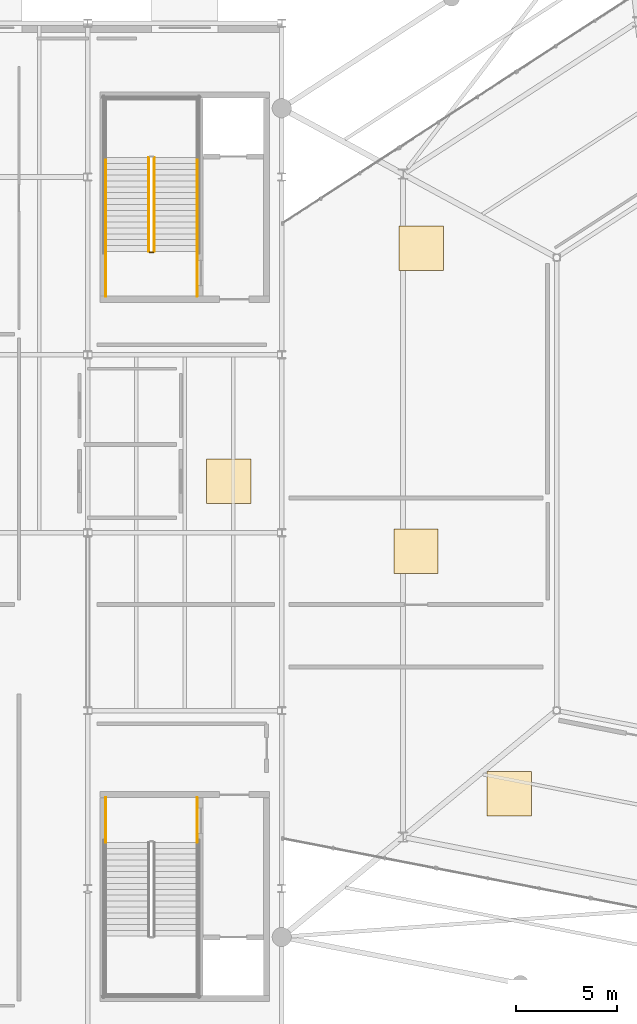
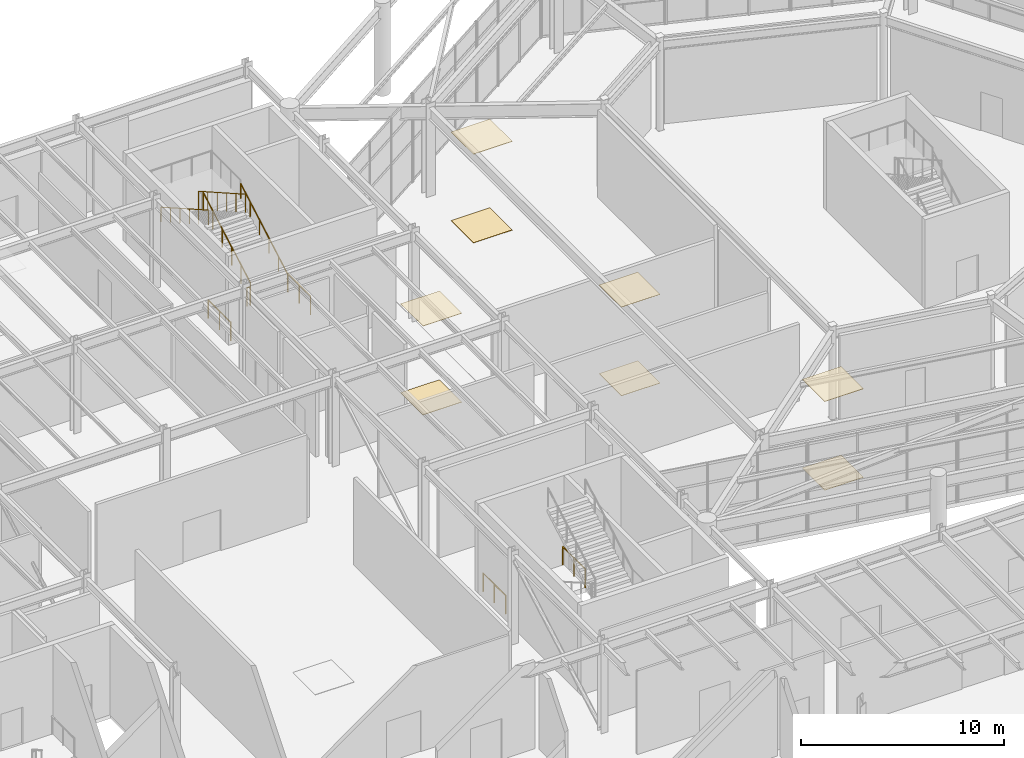
# One storey, part 66 of 70: 9 railings, 8 coverings.
"""IFC4 building model written with IfcOpenShell, lengths in metres."""

from ifc_helpers import new_model, si_unit, direction, frame, origin, origin_2d, place, context, subcontext, project, spatial, rectangle, circle, extrude, material, layer, layer_set, type_object, element, save


model = new_model("IFC4")

# Units and contexts
model_context = context("Model", 3, precision=1e-05, world=origin(), true_north=direction((0.0, 1.0)))
body_context = subcontext(model_context, "Body", "Model", "MODEL_VIEW")
ifc_project = project(units=[si_unit("LENGTHUNIT", "METRE"), si_unit("AREAUNIT", "SQUARE_METRE"), si_unit("VOLUMEUNIT", "CUBIC_METRE"), si_unit("PLANEANGLEUNIT", "RADIAN"), si_unit("MASSUNIT", "GRAM", prefix="KILO")], contexts=[model_context])

# Site, building, storey
site_placement = place(None, origin())
site = spatial("IfcSite", under=ifc_project, at=site_placement, CompositionType="ELEMENT")
building_placement = place(site_placement, origin())
building = spatial("IfcBuilding", under=site, at=building_placement, Name="Sarnbrook Museum", CompositionType="ELEMENT")
storey_placement = place(building_placement, origin())
storey = spatial("IfcBuildingStorey", under=building, at=storey_placement, Name="L00", CompositionType="ELEMENT", Elevation=0.0)

# Coverings
ifc_material_1 = material(Name="Fire-Rated Acoustic Gypsum Plasterboard")
ifc_layer_1 = layer(ifc_material_1, 0.01806640625)
ifc_layer_set_1 = layer_set([ifc_layer_1], Name="Fire-Rated Acoustic Gypsum Plasterboard")
covering_type_1 = type_object("IfcCoveringType", Name="Ceil_Acoustic18", PredefinedType="CEILING", material=ifc_layer_set_1)
covering_1_placement = place(storey_placement, frame((125.840087890625, 82.285888671875, 5.322021484375), z_axis=(0.0, 0.0, 1.0), x_axis=(1.0, 0.0, 0.0)))
element("IfcCovering", 1, at=covering_1_placement, inside=storey, type_object=covering_type_1, Name="Acoustic Ceiling Baffle Panel L00-02", PredefinedType="CEILING", context=body_context, shape_type="SweptSolid", body=[
    extrude(rectangle(XDim=2.199951171875, YDim=2.199951171875, at=origin_2d()), origin(), (0.0, 0.0, 1.0), 0.01806640625),
])
ifc_material_2 = material(Name="Tasmanian Oak Acoustic Timber", Category="wood")
ifc_layer_2 = layer(ifc_material_2, 0.02490234375)
ifc_layer_set_2 = layer_set([ifc_layer_2], Name="Tasmanian Oak Acoustic Timber")
covering_type_2 = type_object("IfcCoveringType", Name="Ceil_Timber25", PredefinedType="CEILING", material=ifc_layer_set_2)
for number, where, z_axis, x_axis, name in (
    (2, (130.4462890625, 70.290771484375, 5.31494140625), (0.0, 0.0, 1.0), (1.0, 0.0, 0.0), "Acoustic Ceiling Baffle Panel L00-01"),
    (3, (126.1015625, 97.2763671875, 5.31494140625), (0.0, 0.0, 1.0), (1.0, 0.0, 0.0), "Acoustic Ceiling Baffle Panel L00-03"),
    (4, (116.580078125, 85.75, 5.324951171875), (0.0, 0.0, 1.0), (1.0, 0.0, 0.0), "Acoustic Ceiling Baffle Panel L00-09"),
):
    element("IfcCovering", number, at=place(storey_placement, frame(where, z_axis=z_axis, x_axis=x_axis)), inside=storey, type_object=covering_type_2, Name=name, PredefinedType="CEILING", context=body_context, shape_type="SweptSolid", body=[
        extrude(rectangle(XDim=2.199951171875, YDim=2.199951171875, at=origin_2d()), origin(), (0.0, 0.0, 1.0), 0.02490234375),
    ])
ifc_layer_3 = layer(ifc_material_2, 0.02197265625)
ifc_layer_set_3 = layer_set([ifc_layer_3], Name="Tasmanian Oak Acoustic Timber")
covering_type_3 = type_object("IfcCoveringType", Name="Floor_Oak22", PredefinedType="FLOORING", material=ifc_layer_set_3)
for number, where, z_axis, x_axis, name in (
    (5, (130.4462890625, 70.290771484375, 0.0), (0.0, 0.0, 1.0), (1.0, 0.0, 0.0), "Gallery Floor Finish Panel L00-01"),
    (6, (126.1015625, 97.2763671875, 0.0), (0.0, 0.0, 1.0), (1.0, 0.0, 0.0), "Gallery Floor Finish Panel L00-03"),
    (7, (116.580078125, 85.75, 0.0), (0.0, 0.0, 1.0), (1.0, 0.0, 0.0), "Gallery Floor Finish Panel L00-09"),
):
    element("IfcCovering", number, at=place(storey_placement, frame(where, z_axis=z_axis, x_axis=x_axis)), inside=storey, type_object=covering_type_3, Name=name, PredefinedType="FLOORING", context=body_context, shape_type="SweptSolid", body=[
        extrude(rectangle(XDim=2.199951171875, YDim=2.199951171875, at=origin_2d()), origin(), (0.0, 0.0, 1.0), 0.02197265625),
    ])
ifc_material_3 = material(Name="Honed Bluestone and Marble Terrazzo Flooring", Category="masonry")
ifc_layer_4 = layer(ifc_material_3, 0.02001953125)
ifc_layer_set_4 = layer_set([ifc_layer_4], Name="Honed Bluestone and Marble Terrazzo Flooring")
covering_type_4 = type_object("IfcCoveringType", Name="Floor_Terrazzo20", PredefinedType="FLOORING", material=ifc_layer_set_4)
covering_2_placement = place(storey_placement, frame((125.840087890625, 82.285888671875, 0.0), z_axis=(0.0, 0.0, 1.0), x_axis=(1.0, 0.0, 0.0)))
element("IfcCovering", 8, at=covering_2_placement, inside=storey, type_object=covering_type_4, Name="Gallery Floor Finish Panel L00-02", PredefinedType="FLOORING", context=body_context, shape_type="SweptSolid", body=[
    extrude(rectangle(XDim=2.199951171875, YDim=2.199951171875, at=origin_2d()), origin(), (0.0, 0.0, 1.0), 0.02001953125),
])

# Railings
ifc_material_4 = material(Name="Brushed Stainless Steel Grade 316", Category="steel")
ifc_layer_5 = layer(ifc_material_4, 0.050048828125)
ifc_layer_set_5 = layer_set([ifc_layer_5], Name="Brushed Stainless Steel Grade 316")
railing_type_1 = type_object("IfcRailingType", Name="Guard_Int1120", PredefinedType="BALUSTRADE", material=ifc_layer_set_5)
for number, where, name in (
    (9, (110.489990234375, 70.10009765625, 0.0), "L00 ST1 stair guard 8"),
    (10, (115.010009765625, 70.10009765625, 0.0), "L00 ST1 stair guard 9"),
):
    element("IfcRailing", number, at=place(storey_placement, frame(where)), inside=storey, type_object=railing_type_1, Name=name, PredefinedType="BALUSTRADE", context=body_context, shape_type="SweptSolid", body=[
        extrude(circle(Radius=0.02392578125, at=origin_2d()), frame((0.0, 0.0, 1.09619140625), z_axis=(0.0, -1.0, 0.0), x_axis=(1.0, 0.0, 0.0)), (0.0, 0.0, 1.0), 2.22021484375),
        extrude(circle(Radius=0.02099609375, at=origin_2d()), origin(), (0.0, 0.0, 1.0), 1.072021484375),
        extrude(circle(Radius=0.02099609375, at=origin_2d()), frame((0.0, -1.110107421875, 0.0)), (0.0, 0.0, 1.0), 1.072021484375),
        extrude(circle(Radius=0.02099609375, at=origin_2d()), frame((0.0, -2.22021484375, 0.0)), (0.0, 0.0, 1.0), 1.072021484375),
    ])
railing_1_placement = place(storey_placement, frame((112.889892578125, 97.1201171875, 0.164794921875)))
element("IfcRailing", 11, at=railing_1_placement, inside=storey, type_object=railing_type_1, Name="L00 ST2 stair guard 1", PredefinedType="BALUSTRADE", context=body_context, shape_type="SweptSolid", body=[
    extrude(circle(Radius=0.02392578125, at=origin_2d()), frame((0.0, 0.0, 1.09619140625), z_axis=(0.0, 0.869540958685, 0.493860831783), x_axis=(-1.0, 0.0, 0.0)), (0.0, 0.0, 1.0), 5.3359375),
    extrude(circle(Radius=0.02099609375, at=origin_2d()), origin(), (0.0, 0.0, 1.0), 1.072021484375),
    extrude(circle(Radius=0.02099609375, at=origin_2d()), frame((0.0, 0.927978515625, 0.527099609375)), (0.0, 0.0, 1.0), 1.072021484375),
    extrude(circle(Radius=0.02099609375, at=origin_2d()), frame((0.0, 1.85595703125, 1.05419921875)), (0.0, 0.0, 1.0), 1.072021484375),
    extrude(circle(Radius=0.02099609375, at=origin_2d()), frame((0.0, 2.783935546875, 1.5810546875)), (0.0, 0.0, 1.0), 1.072021484375),
    extrude(circle(Radius=0.02099609375, at=origin_2d()), frame((0.0, 3.7119140625, 2.108154296875)), (0.0, 0.0, 1.0), 1.072021484375),
    extrude(circle(Radius=0.02099609375, at=origin_2d()), frame((0.0, 4.639892578125, 2.63525390625)), (0.0, 0.0, 1.0), 1.072021484375),
])
railing_2_placement = place(storey_placement, frame((112.610107421875, 101.760009765625, 2.964599609375)))
element("IfcRailing", 12, at=railing_2_placement, inside=storey, type_object=railing_type_1, Name="L00 ST2 stair guard 6", PredefinedType="BALUSTRADE", context=body_context, shape_type="SweptSolid", body=[
    extrude(circle(Radius=0.02392578125, at=origin_2d()), frame((0.0, 0.0, 1.09619140625), z_axis=(0.0, -0.869521310511, 0.493895424728), x_axis=(1.0, 0.0, 0.0)), (0.0, 0.0, 1.0), 5.336181640625),
    extrude(circle(Radius=0.02099609375, at=origin_2d()), origin(), (0.0, 0.0, 1.0), 1.072021484375),
    extrude(circle(Radius=0.02099609375, at=origin_2d()), frame((0.0, -0.927978515625, 0.527099609375)), (0.0, 0.0, 1.0), 1.072021484375),
    extrude(circle(Radius=0.02099609375, at=origin_2d()), frame((0.0, -1.85595703125, 1.05419921875)), (0.0, 0.0, 1.0), 1.072021484375),
    extrude(circle(Radius=0.02099609375, at=origin_2d()), frame((0.0, -2.783935546875, 1.581298828125)), (0.0, 0.0, 1.0), 1.072021484375),
    extrude(circle(Radius=0.02099609375, at=origin_2d()), frame((0.0, -3.7119140625, 2.1083984375)), (0.0, 0.0, 1.0), 1.072021484375),
    extrude(circle(Radius=0.02099609375, at=origin_2d()), frame((0.0, -4.639892578125, 2.635498046875)), (0.0, 0.0, 1.0), 1.072021484375),
])
railing_3_placement = place(storey_placement, frame((112.840087890625, 97.070068359375, 0.0)))
element("IfcRailing", 13, at=railing_3_placement, inside=storey, type_object=railing_type_1, Name="L00 ST2 stair guard 7", PredefinedType="BALUSTRADE", context=body_context, shape_type="SweptSolid", body=[
    extrude(circle(Radius=0.02392578125, at=origin_2d()), frame((0.0, 0.0, 1.09619140625), z_axis=(-1.0, 0.0, 0.0), x_axis=(0.0, -1.0, 0.0)), (0.0, 0.0, 1.0), 0.18017578125),
    extrude(circle(Radius=0.02099609375, at=origin_2d()), origin(), (0.0, 0.0, 1.0), 1.072021484375),
    extrude(circle(Radius=0.02099609375, at=origin_2d()), frame((-0.18017578125, 0.0, 0.0)), (0.0, 0.0, 1.0), 1.072021484375),
])
for number, where, name in (
    (14, (115.010009765625, 94.89990234375, 0.0), "L00 ST2 stair guard 8"),
    (15, (110.489990234375, 94.89990234375, 0.0), "L00 ST2 stair guard 9"),
):
    element("IfcRailing", number, at=place(storey_placement, frame(where)), inside=storey, type_object=railing_type_1, Name=name, PredefinedType="BALUSTRADE", context=body_context, shape_type="SweptSolid", body=[
        extrude(circle(Radius=0.02392578125, at=origin_2d()), frame((0.0, 0.0, 1.09619140625), z_axis=(0.0, 1.0, 0.0), x_axis=(-1.0, 0.0, 0.0)), (0.0, 0.0, 1.0), 2.22021484375),
        extrude(circle(Radius=0.02099609375, at=origin_2d()), origin(), (0.0, 0.0, 1.0), 1.072021484375),
        extrude(circle(Radius=0.02099609375, at=origin_2d()), frame((0.0, 1.110107421875, 0.0)), (0.0, 0.0, 1.0), 1.072021484375),
        extrude(circle(Radius=0.02099609375, at=origin_2d()), frame((0.0, 2.22021484375, 0.0)), (0.0, 0.0, 1.0), 1.072021484375),
    ])
ifc_layer_6 = layer(ifc_material_4, 0.048095703125)
ifc_layer_set_6 = layer_set([ifc_layer_6], Name="Brushed Stainless Steel Grade 316")
railing_type_2 = type_object("IfcRailingType", Name="Handrail_920", PredefinedType="HANDRAIL", material=ifc_layer_set_6)
railing_4_placement = place(storey_placement, frame((115.010009765625, 97.1201171875, 0.164794921875)))
element("IfcRailing", 16, at=railing_4_placement, inside=storey, type_object=railing_type_2, Name="L00 ST2 stair handrail 1", PredefinedType="HANDRAIL", context=body_context, shape_type="SweptSolid", body=[
    extrude(circle(Radius=0.02392578125, at=origin_2d()), frame((0.0, 0.0, 0.8857421875), z_axis=(0.0, 0.869540958685, 0.493860831783), x_axis=(-1.0, 0.0, 0.0)), (0.0, 0.0, 1.0), 5.3359375),
    extrude(circle(Radius=0.02099609375, at=origin_2d()), origin(), (0.0, 0.0, 1.0), 0.86181640625),
    extrude(circle(Radius=0.02099609375, at=origin_2d()), frame((0.0, 0.927978515625, 0.527099609375)), (0.0, 0.0, 1.0), 0.86181640625),
    extrude(circle(Radius=0.02099609375, at=origin_2d()), frame((0.0, 1.85595703125, 1.05419921875)), (0.0, 0.0, 1.0), 0.86181640625),
    extrude(circle(Radius=0.02099609375, at=origin_2d()), frame((0.0, 2.783935546875, 1.5810546875)), (0.0, 0.0, 1.0), 0.86181640625),
    extrude(circle(Radius=0.02099609375, at=origin_2d()), frame((0.0, 3.7119140625, 2.108154296875)), (0.0, 0.0, 1.0), 0.86181640625),
    extrude(circle(Radius=0.02099609375, at=origin_2d()), frame((0.0, 4.639892578125, 2.63525390625)), (0.0, 0.0, 1.0), 0.86181640625),
])
railing_5_placement = place(storey_placement, frame((110.489990234375, 101.760009765625, 2.964599609375)))
element("IfcRailing", 17, at=railing_5_placement, inside=storey, type_object=railing_type_2, Name="L00 ST2 stair handrail 2", PredefinedType="HANDRAIL", context=body_context, shape_type="SweptSolid", body=[
    extrude(circle(Radius=0.02392578125, at=origin_2d()), frame((0.0, 0.0, 0.8857421875), z_axis=(0.0, -0.869521310511, 0.493895424728), x_axis=(1.0, 0.0, 0.0)), (0.0, 0.0, 1.0), 5.336181640625),
    extrude(circle(Radius=0.02099609375, at=origin_2d()), origin(), (0.0, 0.0, 1.0), 0.86181640625),
    extrude(circle(Radius=0.02099609375, at=origin_2d()), frame((0.0, -0.927978515625, 0.527099609375)), (0.0, 0.0, 1.0), 0.86181640625),
    extrude(circle(Radius=0.02099609375, at=origin_2d()), frame((0.0, -1.85595703125, 1.05419921875)), (0.0, 0.0, 1.0), 0.86181640625),
    extrude(circle(Radius=0.02099609375, at=origin_2d()), frame((0.0, -2.783935546875, 1.581298828125)), (0.0, 0.0, 1.0), 0.86181640625),
    extrude(circle(Radius=0.02099609375, at=origin_2d()), frame((0.0, -3.7119140625, 2.1083984375)), (0.0, 0.0, 1.0), 0.86181640625),
    extrude(circle(Radius=0.02099609375, at=origin_2d()), frame((0.0, -4.639892578125, 2.635498046875)), (0.0, 0.0, 1.0), 0.86181640625),
])

save(model, "model.ifc")
